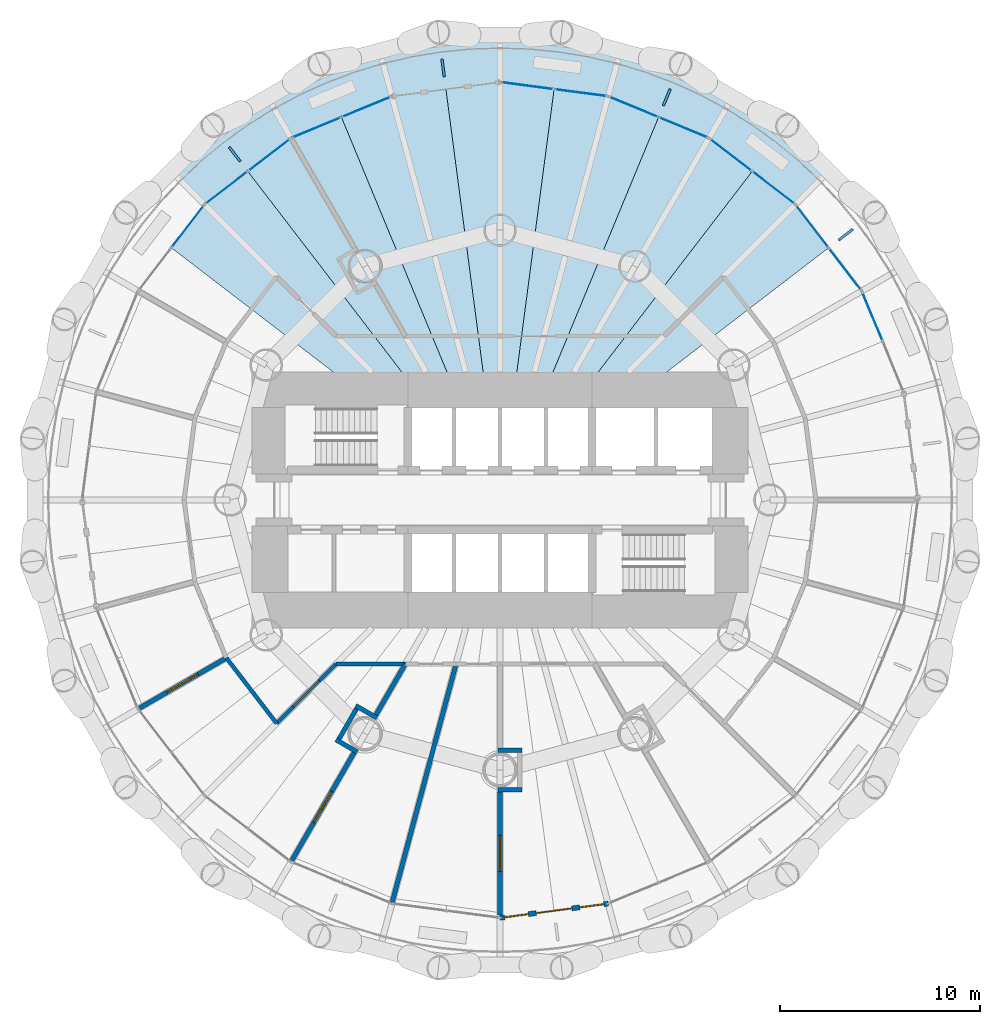
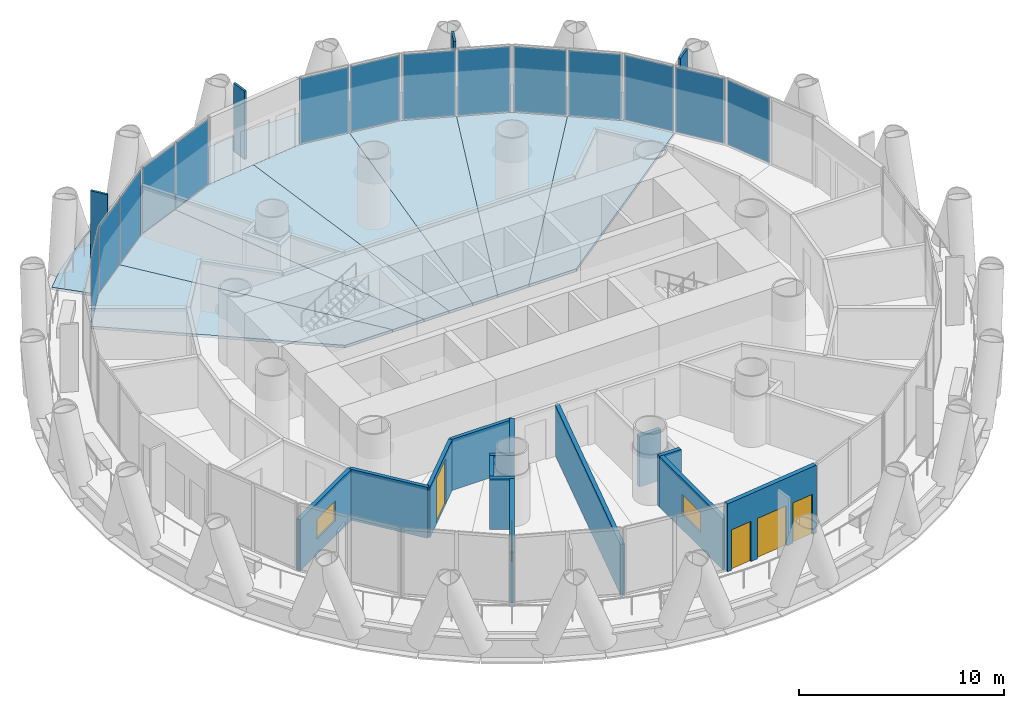
# One storey, part 9 of 15: 18 plates, 14 walls, 8 slabs, 5 windows, 2 doors, 7 openings, 8 elements without a shape of their own.
"""IFC4 building model written with IfcOpenShell, lengths in metres."""

from ifc_helpers import new_model, si_unit, direction, frame, frame_2d, origin, origin_2d, place, context, subcontext, project, spatial, polyline, rectangle, outline, extrude, material, layer, layer_set, type_object, element, fill, aggregate, save


model = new_model("IFC4")

# Units and contexts
model_context = context("Model", 3, precision=1e-05, world=origin(), true_north=direction((0.0, 1.0)))
body_context = subcontext(model_context, "Body", "Model", "MODEL_VIEW")
ifc_project = project(units=[si_unit("LENGTHUNIT", "METRE"), si_unit("AREAUNIT", "SQUARE_METRE"), si_unit("VOLUMEUNIT", "CUBIC_METRE"), si_unit("PLANEANGLEUNIT", "RADIAN"), si_unit("MASSUNIT", "GRAM", prefix="KILO")], contexts=[model_context])

# Site, building, storey
site_placement = place(None, origin())
site = spatial("IfcSite", under=ifc_project, at=site_placement, CompositionType="ELEMENT")
building_placement = place(site_placement, origin())
building = spatial("IfcBuilding", under=site, at=building_placement, Name="Qaws Media Tower", CompositionType="ELEMENT")
storey_placement = place(building_placement, frame((0.0, 0.0, 30.199951171875)))
storey = spatial("IfcBuildingStorey", under=building, at=storey_placement, Name="L05", CompositionType="ELEMENT", Elevation=30.199951171875)

# Slabs
ifc_material_1 = material(Name="Concrete C35/45", Category="concrete")
ifc_layer_1 = layer(ifc_material_1, 0.159912109375)
ifc_layer_set_1 = layer_set([ifc_layer_1], Name="Composite balcony slab 160")
slab_type_1 = type_object("IfcSlabType", Name="Composite balcony slab 160", PredefinedType="FLOOR", material=ifc_layer_set_1)
slab_1_placement = place(storey_placement, frame((0.0, 0.0, -0.159912109375)))
element("IfcSlab", 1, at=slab_1_placement, inside=storey, type_object=slab_type_1, Name="S2 balcony slab L05 R04 to R10, movement joints on R04 and R10", PredefinedType="FLOOR", context=body_context, shape_type="SweptSolid", body=[
    extrude(outline(polyline([(44.63720703125, 67.517822265625), (47.05517578125, 69.373291015625), (49.694580078125, 70.897216796875), (52.510498046875, 72.0634765625), (55.454345703125, 72.852294921875), (58.47607421875, 73.25), (61.52392578125, 73.25), (64.545654296875, 72.852294921875), (67.489501953125, 72.0634765625), (70.305419921875, 70.897216796875), (72.94482421875, 69.373291015625), (75.36279296875, 67.517822265625), (76.440185546875, 66.440185546875), (74.778564453125, 64.778564453125), (70.449951171875, 68.099853515625), (65.4091796875, 70.187744140625), (60.0, 70.89990234375), (54.5908203125, 70.187744140625), (49.550048828125, 68.099853515625), (45.221435546875, 64.778564453125), (43.559814453125, 66.440185546875), (44.63720703125, 67.517822265625)])), origin(), (0.0, 0.0, 1.0), 0.159912109375),
])
ifc_material_2 = material(Name="Concrete C35/45", Category="concrete")
ifc_layer_2 = layer(ifc_material_2, 0.159912109375)
ifc_layer_set_2 = layer_set([ifc_layer_2], Name="Composite floor slab 160")
slab_type_2 = type_object("IfcSlabType", Name="Composite floor slab 160", PredefinedType="FLOOR", material=ifc_layer_set_2)
slab_2_placement = place(storey_placement, frame((0.0, 0.0, -0.159912109375)))
element("IfcSlab", 2, at=slab_2_placement, inside=storey, type_object=slab_type_2, Name="S1 floor panel L05 on R04", PredefinedType="FLOOR", context=body_context, shape_type="SweptSolid", body=[
    extrude(outline(polyline([(74.778564453125, 64.778564453125), (76.439208984375, 62.6142578125), (66.51611328125, 55.0), (63.836669921875, 55.0), (72.6142578125, 66.439208984375), (74.778564453125, 64.778564453125)])), origin(), (0.0, 0.0, 1.0), 0.159912109375),
])
slab_3_placement = place(storey_placement, frame((0.0, 0.0, -0.159912109375)))
element("IfcSlab", 3, at=slab_3_placement, inside=storey, type_object=slab_type_2, Name="S1 floor panel L05 on R05", PredefinedType="FLOOR", context=body_context, shape_type="SweptSolid", body=[
    extrude(outline(polyline([(70.449951171875, 68.099853515625), (72.6142578125, 66.439208984375), (63.836669921875, 55.0), (62.071044921875, 55.0), (67.9296875, 69.143798828125), (70.449951171875, 68.099853515625)])), origin(), (0.0, 0.0, 1.0), 0.159912109375),
])
slab_4_placement = place(storey_placement, frame((0.0, 0.0, -0.159912109375)))
element("IfcSlab", 4, at=slab_4_placement, inside=storey, type_object=slab_type_2, Name="S1 floor panel L05 on R06", PredefinedType="FLOOR", context=body_context, shape_type="SweptSolid", body=[
    extrude(outline(polyline([(65.4091796875, 70.187744140625), (67.9296875, 69.143798828125), (62.071044921875, 55.0), (60.658203125, 55.0), (62.70458984375, 70.5439453125), (65.4091796875, 70.187744140625)])), origin(), (0.0, 0.0, 1.0), 0.159912109375),
])
slab_5_placement = place(storey_placement, frame((0.0, 0.0, -0.159912109375)))
element("IfcSlab", 5, at=slab_5_placement, inside=storey, type_object=slab_type_2, Name="S1 floor panel L05 on R07", PredefinedType="FLOOR", context=body_context, shape_type="SweptSolid", body=[
    extrude(outline(polyline([(60.0, 70.89990234375), (62.70458984375, 70.5439453125), (60.658203125, 55.0), (59.341796875, 55.0), (57.29541015625, 70.5439453125), (60.0, 70.89990234375)])), origin(), (0.0, 0.0, 1.0), 0.159912109375),
])
slab_6_placement = place(storey_placement, frame((0.0, 0.0, -0.159912109375)))
element("IfcSlab", 6, at=slab_6_placement, inside=storey, type_object=slab_type_2, Name="S1 floor panel L05 on R08", PredefinedType="FLOOR", context=body_context, shape_type="SweptSolid", body=[
    extrude(outline(polyline([(54.5908203125, 70.187744140625), (57.29541015625, 70.5439453125), (59.341796875, 55.0), (57.928955078125, 55.0), (52.0703125, 69.143798828125), (54.5908203125, 70.187744140625)])), origin(), (0.0, 0.0, 1.0), 0.159912109375),
])
slab_7_placement = place(storey_placement, frame((0.0, 0.0, -0.159912109375)))
element("IfcSlab", 7, at=slab_7_placement, inside=storey, type_object=slab_type_2, Name="S1 floor panel L05 on R09", PredefinedType="FLOOR", context=body_context, shape_type="SweptSolid", body=[
    extrude(outline(polyline([(49.550048828125, 68.099853515625), (52.0703125, 69.143798828125), (57.928955078125, 55.0), (56.163330078125, 55.0), (47.3857421875, 66.439208984375), (49.550048828125, 68.099853515625)])), origin(), (0.0, 0.0, 1.0), 0.159912109375),
])
slab_8_placement = place(storey_placement, frame((0.0, 0.0, -0.159912109375)))
element("IfcSlab", 8, at=slab_8_placement, inside=storey, type_object=slab_type_2, Name="S1 floor panel L05 on R10", PredefinedType="FLOOR", context=body_context, shape_type="SweptSolid", body=[
    extrude(outline(polyline([(45.221435546875, 64.778564453125), (47.3857421875, 66.439208984375), (56.163330078125, 55.0), (53.48388671875, 55.0), (43.560791015625, 62.6142578125), (45.221435546875, 64.778564453125)])), origin(), (0.0, 0.0, 1.0), 0.159912109375),
])

# Curtain wall, plate
ifc_material_3 = material(Name="Aluminium and clear glass", Category="aluminium")
curtain_wall_type = type_object("IfcCurtainWallType", Name="Unitised curtain wall CW-A", PredefinedType="NOTDEFINED", material=ifc_material_3)
curtain_wall_1_placement = place(storey_placement, origin())
curtain_wall_1 = element("IfcCurtainWall", 9, at=curtain_wall_1_placement, inside=storey, type_object=curtain_wall_type, Name="CWA curtain wall L05-02", PredefinedType="NOTDEFINED")
ifc_material_4 = material(Name="Clear laminated double glazing", Category="glass")
ifc_layer_3 = layer(ifc_material_4, 0.031982421875)
ifc_layer_set_3 = layer_set([ifc_layer_3], Name="Curtain wall glass unit 32")
plate_type_1 = type_object("IfcPlateType", Name="Curtain wall glass unit 32", PredefinedType="CURTAIN_PANEL", material=ifc_layer_set_3)
plate_1_placement = place(storey_placement, frame((78.629638671875, 59.17138671875, 0.080078125), z_axis=(0.0, 0.0, 1.0), x_axis=(-0.382683456149, 0.92387952266, 0.0)))
plate_1 = element("IfcPlate", 10, at=plate_1_placement, type_object=plate_type_1, Name="CWA panel 2.1", PredefinedType="CURTAIN_PANEL", context=body_context, shape_type="SweptSolid", body=[
    extrude(rectangle(XDim=2.60791015625, YDim=0.031982421875, at=origin_2d()), origin(), (0.0, 0.0, 1.0), 3.8798828125),
])
aggregate(curtain_wall_1, [plate_1])

# Curtain wall, plates
curtain_wall_2_placement = place(storey_placement, origin())
curtain_wall_2 = element("IfcCurtainWall", 11, at=curtain_wall_2_placement, inside=storey, type_object=curtain_wall_type, Name="CWA curtain wall L05-03", PredefinedType="NOTDEFINED")
plate_2_placement = place(storey_placement, frame((77.25732421875, 61.548095703125, 0.080078125), z_axis=(0.0, 0.0, 1.0), x_axis=(-0.608761380338, 0.793353377638, 0.0)))
plate_2 = element("IfcPlate", 12, at=plate_2_placement, type_object=plate_type_1, Name="CWA panel 1.1", PredefinedType="CURTAIN_PANEL", context=body_context, shape_type="SweptSolid", body=[
    extrude(rectangle(XDim=2.60791015625, YDim=0.031982421875, at=origin_2d()), origin(), (0.0, 0.0, 1.0), 3.8798828125),
])
plate_3_placement = place(storey_placement, frame((75.62109375, 63.680419921875, 0.080078125), z_axis=(0.0, 0.0, 1.0), x_axis=(-0.608761380338, 0.793353377638, 0.0)))
plate_3 = element("IfcPlate", 13, at=plate_3_placement, type_object=plate_type_1, Name="CWA panel 2.1", PredefinedType="CURTAIN_PANEL", context=body_context, shape_type="SweptSolid", body=[
    extrude(rectangle(XDim=2.60791015625, YDim=0.031982421875, at=origin_2d()), origin(), (0.0, 0.0, 1.0), 3.8798828125),
])
aggregate(curtain_wall_2, [plate_2, plate_3])

curtain_wall_3_placement = place(storey_placement, origin())
curtain_wall_3 = element("IfcCurtainWall", 14, at=curtain_wall_3_placement, inside=storey, type_object=curtain_wall_type, Name="CWA curtain wall L05-04", PredefinedType="NOTDEFINED")
plate_4_placement = place(storey_placement, frame((73.680419921875, 65.62109375, 0.080078125), z_axis=(0.0, 0.0, 1.0), x_axis=(-0.793353377638, 0.608761380338, 0.0)))
plate_4 = element("IfcPlate", 15, at=plate_4_placement, type_object=plate_type_1, Name="CWA panel 1.1", PredefinedType="CURTAIN_PANEL", context=body_context, shape_type="SweptSolid", body=[
    extrude(rectangle(XDim=2.60791015625, YDim=0.031982421875, at=origin_2d()), origin(), (0.0, 0.0, 1.0), 3.8798828125),
])
plate_5_placement = place(storey_placement, frame((71.548095703125, 67.25732421875, 0.080078125), z_axis=(0.0, 0.0, 1.0), x_axis=(-0.793353377638, 0.608761380338, 0.0)))
plate_5 = element("IfcPlate", 16, at=plate_5_placement, type_object=plate_type_1, Name="CWA panel 2.1", PredefinedType="CURTAIN_PANEL", context=body_context, shape_type="SweptSolid", body=[
    extrude(rectangle(XDim=2.60791015625, YDim=0.031982421875, at=origin_2d()), origin(), (0.0, 0.0, 1.0), 3.8798828125),
])
aggregate(curtain_wall_3, [plate_4, plate_5])

curtain_wall_4_placement = place(storey_placement, origin())
curtain_wall_4 = element("IfcCurtainWall", 17, at=curtain_wall_4_placement, inside=storey, type_object=curtain_wall_type, Name="CWA curtain wall L05-05", PredefinedType="NOTDEFINED")
plate_6_placement = place(storey_placement, frame((69.17138671875, 68.629638671875, 0.080078125), z_axis=(0.0, 0.0, 1.0), x_axis=(-0.92387952266, 0.382683456149, 0.0)))
plate_6 = element("IfcPlate", 18, at=plate_6_placement, type_object=plate_type_1, Name="CWA panel 1.1", PredefinedType="CURTAIN_PANEL", context=body_context, shape_type="SweptSolid", body=[
    extrude(rectangle(XDim=2.60791015625, YDim=0.031982421875, at=origin_2d()), origin(), (0.0, 0.0, 1.0), 3.8798828125),
])
plate_7_placement = place(storey_placement, frame((66.68798828125, 69.658203125, 0.080078125), z_axis=(0.0, 0.0, 1.0), x_axis=(-0.92387952266, 0.382683456149, 0.0)))
plate_7 = element("IfcPlate", 19, at=plate_7_placement, type_object=plate_type_1, Name="CWA panel 2.1", PredefinedType="CURTAIN_PANEL", context=body_context, shape_type="SweptSolid", body=[
    extrude(rectangle(XDim=2.60791015625, YDim=0.031982421875, at=origin_2d()), origin(), (0.0, 0.0, 1.0), 3.8798828125),
])
aggregate(curtain_wall_4, [plate_6, plate_7])

curtain_wall_5_placement = place(storey_placement, origin())
curtain_wall_5 = element("IfcCurtainWall", 20, at=curtain_wall_5_placement, inside=storey, type_object=curtain_wall_type, Name="CWA curtain wall L05-06", PredefinedType="NOTDEFINED")
plate_8_placement = place(storey_placement, frame((64.037109375, 70.368408203125, 0.080078125), z_axis=(0.0, 0.0, 1.0), x_axis=(-0.991444866709, 0.130526151694, 0.0)))
plate_8 = element("IfcPlate", 21, at=plate_8_placement, type_object=plate_type_1, Name="CWA panel 1.1", PredefinedType="CURTAIN_PANEL", context=body_context, shape_type="SweptSolid", body=[
    extrude(rectangle(XDim=2.60791015625, YDim=0.031982421875, at=origin_2d()), origin(), (0.0, 0.0, 1.0), 3.8798828125),
])
plate_9_placement = place(storey_placement, frame((61.3720703125, 70.71923828125, 0.080078125), z_axis=(0.0, 0.0, 1.0), x_axis=(-0.991444866709, 0.130526151694, 0.0)))
plate_9 = element("IfcPlate", 22, at=plate_9_placement, type_object=plate_type_1, Name="CWA panel 2.1", PredefinedType="CURTAIN_PANEL", context=body_context, shape_type="SweptSolid", body=[
    extrude(rectangle(XDim=2.60791015625, YDim=0.031982421875, at=origin_2d()), origin(), (0.0, 0.0, 1.0), 3.8798828125),
])
aggregate(curtain_wall_5, [plate_8, plate_9])

curtain_wall_6_placement = place(storey_placement, origin())
curtain_wall_6 = element("IfcCurtainWall", 23, at=curtain_wall_6_placement, inside=storey, type_object=curtain_wall_type, Name="CWA curtain wall L05-08", PredefinedType="NOTDEFINED")
plate_10_placement = place(storey_placement, frame((53.31201171875, 69.658203125, 0.080078125), z_axis=(0.0, 0.0, 1.0), x_axis=(-0.92387952266, -0.382683456149, 0.0)))
plate_10 = element("IfcPlate", 24, at=plate_10_placement, type_object=plate_type_1, Name="CWA panel 1.1", PredefinedType="CURTAIN_PANEL", context=body_context, shape_type="SweptSolid", body=[
    extrude(rectangle(XDim=2.60791015625, YDim=0.031982421875, at=origin_2d()), origin(), (0.0, 0.0, 1.0), 3.8798828125),
])
plate_11_placement = place(storey_placement, frame((50.82861328125, 68.629638671875, 0.080078125), z_axis=(0.0, 0.0, 1.0), x_axis=(-0.92387952266, -0.382683456149, 0.0)))
plate_11 = element("IfcPlate", 25, at=plate_11_placement, type_object=plate_type_1, Name="CWA panel 2.1", PredefinedType="CURTAIN_PANEL", context=body_context, shape_type="SweptSolid", body=[
    extrude(rectangle(XDim=2.60791015625, YDim=0.031982421875, at=origin_2d()), origin(), (0.0, 0.0, 1.0), 3.8798828125),
])
aggregate(curtain_wall_6, [plate_10, plate_11])

curtain_wall_7_placement = place(storey_placement, origin())
curtain_wall_7 = element("IfcCurtainWall", 26, at=curtain_wall_7_placement, inside=storey, type_object=curtain_wall_type, Name="CWA curtain wall L05-09", PredefinedType="NOTDEFINED")
plate_12_placement = place(storey_placement, frame((48.451904296875, 67.25732421875, 0.080078125), z_axis=(0.0, 0.0, 1.0), x_axis=(-0.793353377638, -0.608761380338, 0.0)))
plate_12 = element("IfcPlate", 27, at=plate_12_placement, type_object=plate_type_1, Name="CWA panel 1.1", PredefinedType="CURTAIN_PANEL", context=body_context, shape_type="SweptSolid", body=[
    extrude(rectangle(XDim=2.60791015625, YDim=0.031982421875, at=origin_2d()), origin(), (0.0, 0.0, 1.0), 3.8798828125),
])
plate_13_placement = place(storey_placement, frame((46.319580078125, 65.62109375, 0.080078125), z_axis=(0.0, 0.0, 1.0), x_axis=(-0.793353377638, -0.608761380338, 0.0)))
plate_13 = element("IfcPlate", 28, at=plate_13_placement, type_object=plate_type_1, Name="CWA panel 2.1", PredefinedType="CURTAIN_PANEL", context=body_context, shape_type="SweptSolid", body=[
    extrude(rectangle(XDim=2.60791015625, YDim=0.031982421875, at=origin_2d()), origin(), (0.0, 0.0, 1.0), 3.8798828125),
])
aggregate(curtain_wall_7, [plate_12, plate_13])

# Curtain wall, plate
curtain_wall_8_placement = place(storey_placement, origin())
curtain_wall_8 = element("IfcCurtainWall", 29, at=curtain_wall_8_placement, inside=storey, type_object=curtain_wall_type, Name="CWA curtain wall L05-10", PredefinedType="NOTDEFINED")
plate_14_placement = place(storey_placement, frame((44.37890625, 63.680419921875, 0.080078125), z_axis=(0.0, 0.0, 1.0), x_axis=(-0.608761380338, -0.793353377638, 0.0)))
plate_14 = element("IfcPlate", 30, at=plate_14_placement, type_object=plate_type_1, Name="CWA panel 1.1", PredefinedType="CURTAIN_PANEL", context=body_context, shape_type="SweptSolid", body=[
    extrude(rectangle(XDim=2.60791015625, YDim=0.031982421875, at=origin_2d()), origin(), (0.0, 0.0, 1.0), 3.8798828125),
])
aggregate(curtain_wall_8, [plate_14])

# Plates
ifc_material_5 = material(Name="Precast concrete screen fin", Category="concrete")
ifc_layer_4 = layer(ifc_material_5, 0.1201171875)
ifc_layer_set_4 = layer_set([ifc_layer_4], Name="Screen fin 120x900")
plate_type_2 = type_object("IfcPlateType", Name="Screen fin 120x900", PredefinedType="USERDEFINED", material=ifc_layer_set_4)
for number, where, z_axis, x_axis, name in (
    (31, (77.295166015625, 63.27099609375, 0.0), (0.0, 0.0, 1.0), (0.793353340291, 0.608761429009, 0.0), "SCR1 screen fin L05-02"),
    (32, (68.342529296875, 70.140625, 0.0), (0.0, 0.0, 1.0), (0.382683432365, 0.923879532511, 0.0), "SCR1 screen fin L05-03"),
    (33, (57.154541015625, 71.613525390625, 0.0), (0.0, 0.0, 1.0), (-0.13052619222, 0.991444861374, 0.0), "SCR1 screen fin L05-04"),
    (34, (46.72900390625, 67.295166015625, 0.0), (0.0, 0.0, 1.0), (-0.608761429009, 0.793353340291, 0.0), "SCR1 screen fin L05-05"),
):
    element("IfcPlate", number, at=place(storey_placement, frame(where, z_axis=z_axis, x_axis=x_axis)), inside=storey, type_object=plate_type_2, Name=name, ObjectType="SCREEN", PredefinedType="USERDEFINED", context=body_context, shape_type="SweptSolid", body=[
        extrude(rectangle(XDim=0.89990234375, YDim=0.1201171875, at=origin_2d()), origin(), (0.0, 0.0, 1.0), 4.0400390625),
    ])

# Wall, opening, window
ifc_material_6 = material(Name="Twin metal stud frames, two layers gypsum board each side, insulated, Rw 55", Category="gypsum")
ifc_layer_5 = layer(ifc_material_6, 0.22509765625)
ifc_layer_set_5 = layer_set([ifc_layer_5], Name="Acoustic twin-stud partition 225 Rw 55")
wall_type_1 = type_object("IfcWallType", Name="Acoustic twin-stud partition 225 Rw 55", PredefinedType="PARTITIONING", material=ifc_layer_set_5)
wall_1_placement = place(storey_placement, frame((46.31689453125, 42.10009765625, 0.0), z_axis=(0.0, 0.0, 1.0), x_axis=(-0.866022478443, -0.500005066806, 0.0)))
wall_1 = element("IfcWall", 35, at=wall_1_placement, inside=storey, type_object=wall_type_1, Name="W003 IW6 partition L05", PredefinedType="PARTITIONING", context=body_context, shape_type="SweptSolid", body=[
    extrude(rectangle(XDim=5.06005859375, YDim=0.22509765625, at=frame_2d((2.530029296875, 0.0))), origin(), (0.0, 0.0, 1.0), 3.0400390625),
])
opening_1_placement = place(wall_1_placement, frame((1.6298828125, 0.0, 0.89990234375)))
opening_1 = element("IfcOpeningElement", 36, at=opening_1_placement, cuts=wall_1, Name="Opening W8", PredefinedType="OPENING", context=body_context, shape_type="SweptSolid", body=[
    extrude(rectangle(XDim=1.800048828125, YDim=1.199951171875, at=frame_2d((0.89990234375, 0.60009765625))), frame((0.0, 0.12255859375, 0.0), z_axis=(0.0, -1.0, 0.0), x_axis=(1.0, 0.0, 0.0)), (0.0, 0.0, 1.0), 0.2451171875),
])
ifc_material_7 = material(Name="Laminated acoustic double glazing, Rw 50, in steel frame", Category="steel")
window_type_1 = type_object("IfcWindowType", Name="Control room observation window 1800x1200", PartitioningType="SINGLE_PANEL", PredefinedType="WINDOW", material=ifc_material_7)
window_1_placement = place(opening_1_placement, origin())
window_1 = element("IfcWindow", 37, at=window_1_placement, inside=storey, type_object=window_type_1, Name="W8 control room observation window L05", OverallHeight=1.199951171875, OverallWidth=1.800048828125, PartitioningType="SINGLE_PANEL", PredefinedType="WINDOW", context=body_context, shape_type="SweptSolid", body=[
    extrude(rectangle(XDim=1.800048828125, YDim=1.199951171875, at=frame_2d((0.89990234375, 0.60009765625))), frame((0.0, 0.030029296875, 0.0), z_axis=(0.0, -1.0, 0.0), x_axis=(1.0, 0.0, 0.0)), (0.0, 0.0, 1.0), 0.06005859375),
])
fill(opening_1, window_1)

# Walls
wall_2_placement = place(storey_placement, frame((53.840087890625, 39.10595703125, 0.0), z_axis=(0.0, 0.0, 1.0), x_axis=(-0.866055662726, 0.499947586314, 0.0)))
element("IfcWall", 38, at=wall_2_placement, inside=storey, type_object=wall_type_1, Name="W008 IW6 partition return L05", PredefinedType="PARTITIONING", context=body_context, shape_type="SweptSolid", body=[
    extrude(rectangle(XDim=1.220458984375, YDim=0.22509765625, at=frame_2d((0.6103515625, 0.0))), origin(), (0.0, 0.0, 1.0), 3.02001953125),
])
wall_3_placement = place(storey_placement, frame((52.854736328125, 37.39892578125, 0.0), z_axis=(0.0, 0.0, 1.0), x_axis=(-0.866019052629, 0.500011000363, 0.0)))
element("IfcWall", 39, at=wall_3_placement, inside=storey, type_object=wall_type_1, Name="W007 IW6 partition return L05", PredefinedType="PARTITIONING", context=body_context, shape_type="SweptSolid", body=[
    extrude(rectangle(XDim=1.220703125, YDim=0.22509765625, at=frame_2d((0.6103515625, 0.0))), origin(), (0.0, 0.0, 1.0), 3.02001953125),
])
wall_4_placement = place(storey_placement, frame((52.824462890625, 39.5625, 0.0), z_axis=(0.0, 0.0, 1.0), x_axis=(-0.499988720078, -0.866031916153, 0.0)))
element("IfcWall", 40, at=wall_4_placement, inside=storey, type_object=wall_type_1, Name="W006 IW6 partition return L05", PredefinedType="PARTITIONING", context=body_context, shape_type="SweptSolid", body=[
    extrude(rectangle(XDim=1.74609375, YDim=0.22509765625, at=frame_2d((0.873046875, 0.0))), origin(), (0.0, 0.0, 1.0), 3.02001953125),
])
wall_5_placement = place(storey_placement, frame((55.27001953125, 41.807373046875, 0.0), z_axis=(0.0, 0.0, 1.0), x_axis=(-0.49998584623, -0.866033575313, 0.0)))
element("IfcWall", 41, at=wall_5_placement, inside=storey, type_object=wall_type_1, Name="W009 IW6 partition L05", PredefinedType="PARTITIONING", context=body_context, shape_type="SweptSolid", body=[
    extrude(rectangle(XDim=2.94189453125, YDim=0.22509765625, at=frame_2d((1.470947265625, 0.0))), origin(), (0.0, 0.0, 1.0), 3.0400390625),
])

# Wall, opening, window
wall_6_placement = place(storey_placement, frame((52.700927734375, 37.35791015625, 0.0), z_axis=(0.0, 0.0, 1.0), x_axis=(-0.499980071345, -0.866036909293, 0.0)))
wall_6 = element("IfcWall", 42, at=wall_6_placement, inside=storey, type_object=wall_type_1, Name="W005 IW6 partition L05", PredefinedType="PARTITIONING", context=body_context, shape_type="SweptSolid", body=[
    extrude(rectangle(XDim=6.261962890625, YDim=0.22509765625, at=frame_2d((3.130859375, 0.0))), origin(), (0.0, 0.0, 1.0), 3.0400390625),
])
opening_2_placement = place(wall_6_placement, frame((2.23095703125, 0.0, 0.89990234375)))
opening_2 = element("IfcOpeningElement", 43, at=opening_2_placement, cuts=wall_6, Name="Opening W8", PredefinedType="OPENING", context=body_context, shape_type="SweptSolid", body=[
    extrude(rectangle(XDim=1.800048828125, YDim=1.199951171875, at=frame_2d((0.89990234375, 0.60009765625))), frame((0.0, 0.12255859375, 0.0), z_axis=(0.0, -1.0, 0.0), x_axis=(1.0, 0.0, 0.0)), (0.0, 0.0, 1.0), 0.2451171875),
])
window_2_placement = place(opening_2_placement, origin())
window_2 = element("IfcWindow", 44, at=window_2_placement, inside=storey, type_object=window_type_1, Name="W8 control room observation window L05", OverallHeight=1.199951171875, OverallWidth=1.800048828125, PartitioningType="SINGLE_PANEL", PredefinedType="WINDOW", context=body_context, shape_type="SweptSolid", body=[
    extrude(rectangle(XDim=1.800048828125, YDim=1.199951171875, at=frame_2d((0.89990234375, 0.60009765625))), frame((0.0, 0.030029296875, 0.0), z_axis=(0.0, -1.0, 0.0), x_axis=(1.0, 0.0, 0.0)), (0.0, 0.0, 1.0), 0.06005859375),
])
fill(opening_2, window_2)

# Walls
wall_7_placement = place(storey_placement, frame((57.80517578125, 41.808837890625, 0.0), z_axis=(0.0, 0.0, 1.0), x_axis=(-0.25881625854, -0.965926572942, 0.0)))
element("IfcWall", 45, at=wall_7_placement, inside=storey, type_object=wall_type_1, Name="W010 IW6 partition L05", PredefinedType="PARTITIONING", context=body_context, shape_type="SweptSolid", body=[
    extrude(rectangle(XDim=12.3798828125, YDim=0.22509765625, at=frame_2d((6.18994140625, 0.0))), origin(), (0.0, 0.0, 1.0), 3.02001953125),
])
for number, where, z_axis, x_axis, name in (
    (46, (59.887451171875, 37.485595703125, 0.0), (0.0, 0.0, 1.0), (1.0, 0.0, 0.0), "W012 IW6 partition return L05"),
    (47, (59.887451171875, 35.514404296875, 0.0), (0.0, 0.0, 1.0), (1.0, 0.0, 0.0), "W011 IW6 partition return L05"),
):
    element("IfcWall", number, at=place(storey_placement, frame(where, z_axis=z_axis, x_axis=x_axis)), inside=storey, type_object=wall_type_1, Name=name, PredefinedType="PARTITIONING", context=body_context, shape_type="SweptSolid", body=[
        extrude(rectangle(XDim=1.220458984375, YDim=0.22509765625, at=frame_2d((0.6103515625, 0.0))), origin(), (0.0, 0.0, 1.0), 3.02001953125),
    ])

# Wall, opening, window
wall_8_placement = place(storey_placement, frame((60.0, 35.402099609375, 0.0), z_axis=(0.0, 0.0, 1.0), x_axis=(0.0, -1.0, 0.0)))
wall_8 = element("IfcWall", 48, at=wall_8_placement, inside=storey, type_object=wall_type_1, Name="W013 IW6 partition L05", PredefinedType="PARTITIONING", context=body_context, shape_type="SweptSolid", body=[
    extrude(rectangle(XDim=6.162109375, YDim=0.22509765625, at=frame_2d((3.0810546875, 0.0))), origin(), (0.0, 0.0, 1.0), 3.0400390625),
])
opening_3_placement = place(wall_8_placement, frame((2.180908203125, 0.0, 0.89990234375)))
opening_3 = element("IfcOpeningElement", 49, at=opening_3_placement, cuts=wall_8, Name="Opening W8", PredefinedType="OPENING", context=body_context, shape_type="SweptSolid", body=[
    extrude(rectangle(XDim=1.800048828125, YDim=1.199951171875, at=frame_2d((0.89990234375, 0.60009765625))), frame((0.0, 0.12255859375, 0.0), z_axis=(0.0, -1.0, 0.0), x_axis=(1.0, 0.0, 0.0)), (0.0, 0.0, 1.0), 0.2451171875),
])
window_3_placement = place(opening_3_placement, origin())
window_3 = element("IfcWindow", 50, at=window_3_placement, inside=storey, type_object=window_type_1, Name="W8 control room observation window L05", OverallHeight=1.199951171875, OverallWidth=1.800048828125, PartitioningType="SINGLE_PANEL", PredefinedType="WINDOW", context=body_context, shape_type="SweptSolid", body=[
    extrude(rectangle(XDim=1.800048828125, YDim=1.199951171875, at=frame_2d((0.89990234375, 0.60009765625))), frame((0.0, 0.030029296875, 0.0), z_axis=(0.0, -1.0, 0.0), x_axis=(1.0, 0.0, 0.0)), (0.0, 0.0, 1.0), 0.06005859375),
])
fill(opening_3, window_3)

# Wall, openings, door, windows
ifc_material_8 = material(Name="Precast concrete, exposed finish", Category="concrete")
ifc_layer_6 = layer(ifc_material_8, 0.25)
ifc_layer_set_6 = layer_set([ifc_layer_6], Name="Balcony door wall 250")
wall_type_2 = type_object("IfcWallType", Name="Balcony door wall 250", PredefinedType="SOLIDWALL", material=ifc_layer_set_6)
wall_9_placement = place(storey_placement, frame((60.0, 29.10009765625, 0.0), z_axis=(0.0, 0.0, 1.0), x_axis=(0.991445002601, 0.130525119492, 0.0)))
wall_9 = element("IfcWall", 51, at=wall_9_placement, inside=storey, type_object=wall_type_2, Name="W110 EW1 balcony door wall L05-19", PredefinedType="SOLIDWALL", context=body_context, shape_type="SweptSolid", body=[
    extrude(rectangle(XDim=5.4560546875, YDim=0.25, at=frame_2d((2.72802734375, 0.0))), origin(), (0.0, 0.0, 1.0), 4.0400390625),
])
opening_4_placement = place(wall_9_placement, frame((1.827880859375, 0.0, 0.0)))
opening_4 = element("IfcOpeningElement", 52, at=opening_4_placement, cuts=wall_9, Name="Opening D7", PredefinedType="OPENING", context=body_context, shape_type="SweptSolid", body=[
    extrude(rectangle(XDim=1.800048828125, YDim=2.39990234375, at=frame_2d((0.89990234375, 1.199951171875))), frame((0.0, 0.135009765625, 0.0), z_axis=(0.0, -1.0, 0.0), x_axis=(1.0, 0.0, 0.0)), (0.0, 0.0, 1.0), 0.27001953125),
])
opening_5_placement = place(wall_9_placement, frame((0.22802734375, 0.0, 0.0)))
opening_5 = element("IfcOpeningElement", 53, at=opening_5_placement, cuts=wall_9, Name="Opening W1", PredefinedType="OPENING", context=body_context, shape_type="SweptSolid", body=[
    extrude(rectangle(XDim=1.199951171875, YDim=2.39990234375, at=frame_2d((0.60009765625, 1.199951171875))), frame((0.0, 0.135009765625, 0.0), z_axis=(0.0, -1.0, 0.0), x_axis=(1.0, 0.0, 0.0)), (0.0, 0.0, 1.0), 0.27001953125),
])
opening_6_placement = place(wall_9_placement, frame((4.028076171875, 0.0, 0.0)))
opening_6 = element("IfcOpeningElement", 54, at=opening_6_placement, cuts=wall_9, Name="Opening W1", PredefinedType="OPENING", context=body_context, shape_type="SweptSolid", body=[
    extrude(rectangle(XDim=1.199951171875, YDim=2.39990234375, at=frame_2d((0.60009765625, 1.199951171875))), frame((0.0, 0.135009765625, 0.0), z_axis=(0.0, -1.0, 0.0), x_axis=(1.0, 0.0, 0.0)), (0.0, 0.0, 1.0), 0.27001953125),
])
ifc_material_9 = material(Name="Aluminium and clear glass", Category="aluminium")
door_type_1 = type_object("IfcDoorType", Name="Balcony door pair 1800", OperationType="DOUBLE_DOOR_SLIDING", PredefinedType="DOOR", material=ifc_material_9)
door_1_placement = place(opening_4_placement, origin())
door_1 = element("IfcDoor", 55, at=door_1_placement, inside=storey, type_object=door_type_1, Name="D7 balcony door L05-19 in wall W110", OperationType="DOUBLE_DOOR_SLIDING", OverallHeight=2.39990234375, OverallWidth=1.800048828125, PredefinedType="DOOR", context=body_context, shape_type="SweptSolid", body=[
    extrude(rectangle(XDim=1.800048828125, YDim=2.39990234375, at=frame_2d((0.89990234375, 1.199951171875))), frame((0.0, 0.02490234375, 0.0), z_axis=(0.0, -1.0, 0.0), x_axis=(1.0, 0.0, 0.0)), (0.0, 0.0, 1.0), 0.050048828125),
])
fill(opening_4, door_1)
ifc_material_10 = material(Name="Aluminium and clear glass", Category="aluminium")
window_type_2 = type_object("IfcWindowType", Name="Balcony side window 1200", PartitioningType="SINGLE_PANEL", PredefinedType="WINDOW", material=ifc_material_10)
window_4_placement = place(opening_5_placement, origin())
window_4 = element("IfcWindow", 56, at=window_4_placement, inside=storey, type_object=window_type_2, Name="W1 balcony side light L05-19L", OverallHeight=2.39990234375, OverallWidth=1.199951171875, PartitioningType="SINGLE_PANEL", PredefinedType="WINDOW", context=body_context, shape_type="SweptSolid", body=[
    extrude(rectangle(XDim=1.199951171875, YDim=2.39990234375, at=frame_2d((0.60009765625, 1.199951171875))), frame((0.0, 0.030029296875, 0.0), z_axis=(0.0, -1.0, 0.0), x_axis=(1.0, 0.0, 0.0)), (0.0, 0.0, 1.0), 0.06005859375),
])
fill(opening_5, window_4)
window_5_placement = place(opening_6_placement, origin())
window_5 = element("IfcWindow", 57, at=window_5_placement, inside=storey, type_object=window_type_2, Name="W1 balcony side light L05-19R", OverallHeight=2.39990234375, OverallWidth=1.199951171875, PartitioningType="SINGLE_PANEL", PredefinedType="WINDOW", context=body_context, shape_type="SweptSolid", body=[
    extrude(rectangle(XDim=1.199951171875, YDim=2.39990234375, at=frame_2d((0.60009765625, 1.199951171875))), frame((0.0, 0.030029296875, 0.0), z_axis=(0.0, -1.0, 0.0), x_axis=(1.0, 0.0, 0.0)), (0.0, 0.0, 1.0), 0.06005859375),
])
fill(opening_6, window_5)

# Wall, opening, door
ifc_material_11 = material(Name="Gypsum board on galvanised metal studs, acoustic double stud, deflection head", Category="gypsum")
ifc_layer_7 = layer(ifc_material_11, 0.199951171875)
ifc_layer_set_7 = layer_set([ifc_layer_7], Name="Room partition 200")
wall_type_3 = type_object("IfcWallType", Name="Room partition 200", PredefinedType="PARTITIONING", material=ifc_layer_set_7)
wall_10_placement = place(storey_placement, frame((51.800048828125, 41.800048828125, 0.0), z_axis=(0.0, 0.0, 1.0), x_axis=(-0.707106781187, -0.707106781187, 0.0)))
wall_10 = element("IfcWall", 58, at=wall_10_placement, inside=storey, type_object=wall_type_3, Name="W962 IW3 partition L05", PredefinedType="PARTITIONING", context=body_context, shape_type="SweptSolid", body=[
    extrude(rectangle(XDim=4.20361328125, YDim=0.199951171875, at=frame_2d((2.101806640625, 0.0))), origin(), (0.0, 0.0, 1.0), 3.02001953125),
])
opening_7_placement = place(wall_10_placement, frame((1.20166015625, 0.0, 0.0)))
opening_7 = element("IfcOpeningElement", 59, at=opening_7_placement, cuts=wall_10, Name="Opening D15", PredefinedType="OPENING", context=body_context, shape_type="SweptSolid", body=[
    extrude(rectangle(XDim=1.800048828125, YDim=2.699951171875, at=frame_2d((0.89990234375, 1.35009765625))), frame((0.0, 0.10986328125, 0.0), z_axis=(0.0, -1.0, 0.0), x_axis=(1.0, 0.0, 0.0)), (0.0, 0.0, 1.0), 0.219970703125),
])
ifc_material_12 = material(Name="Steel acoustic door set, Rw 50", Category="steel")
door_type_2 = type_object("IfcDoorType", Name="Studio acoustic door pair 1800x2700 Rw 50", OperationType="DOUBLE_DOOR_DOUBLE_SWING", PredefinedType="DOOR", material=ifc_material_12)
door_2_placement = place(opening_7_placement, origin())
door_2 = element("IfcDoor", 60, at=door_2_placement, inside=storey, type_object=door_type_2, Name="D15 Radio studio door L05 in wall W962", OperationType="DOUBLE_DOOR_DOUBLE_SWING", OverallHeight=2.699951171875, OverallWidth=1.800048828125, PredefinedType="DOOR", context=body_context, shape_type="SweptSolid", body=[
    extrude(rectangle(XDim=1.800048828125, YDim=2.699951171875, at=frame_2d((0.89990234375, 1.35009765625))), frame((0.0, 0.02490234375, 0.0), z_axis=(0.0, -1.0, 0.0), x_axis=(1.0, 0.0, 0.0)), (0.0, 0.0, 1.0), 0.050048828125),
])
fill(opening_7, door_2)

# Walls
wall_11_placement = place(storey_placement, frame((48.82763671875, 38.82763671875, 0.0), z_axis=(0.0, 0.0, 1.0), x_axis=(-0.608714823874, 0.793389099494, 0.0)))
element("IfcWall", 61, at=wall_11_placement, inside=storey, type_object=wall_type_3, Name="W948 IW3 partition L05", PredefinedType="PARTITIONING", context=body_context, shape_type="SweptSolid", body=[
    extrude(rectangle(XDim=4.124755859375, YDim=0.199951171875, at=frame_2d((2.0625, 0.0))), origin(), (0.0, 0.0, 1.0), 3.0400390625),
])
wall_12_placement = place(storey_placement, frame((55.265625, 41.800048828125, 0.0), z_axis=(0.0, 0.0, 1.0), x_axis=(-1.0, 0.0, 0.0)))
element("IfcWall", 62, at=wall_12_placement, inside=storey, type_object=wall_type_3, Name="W968 IW3 partition L05", PredefinedType="PARTITIONING", context=body_context, shape_type="SweptSolid", body=[
    extrude(rectangle(XDim=3.465576171875, YDim=0.199951171875, at=frame_2d((1.73291015625, 0.0))), origin(), (0.0, 0.0, 1.0), 3.0400390625),
])

save(model, "model.ifc")
